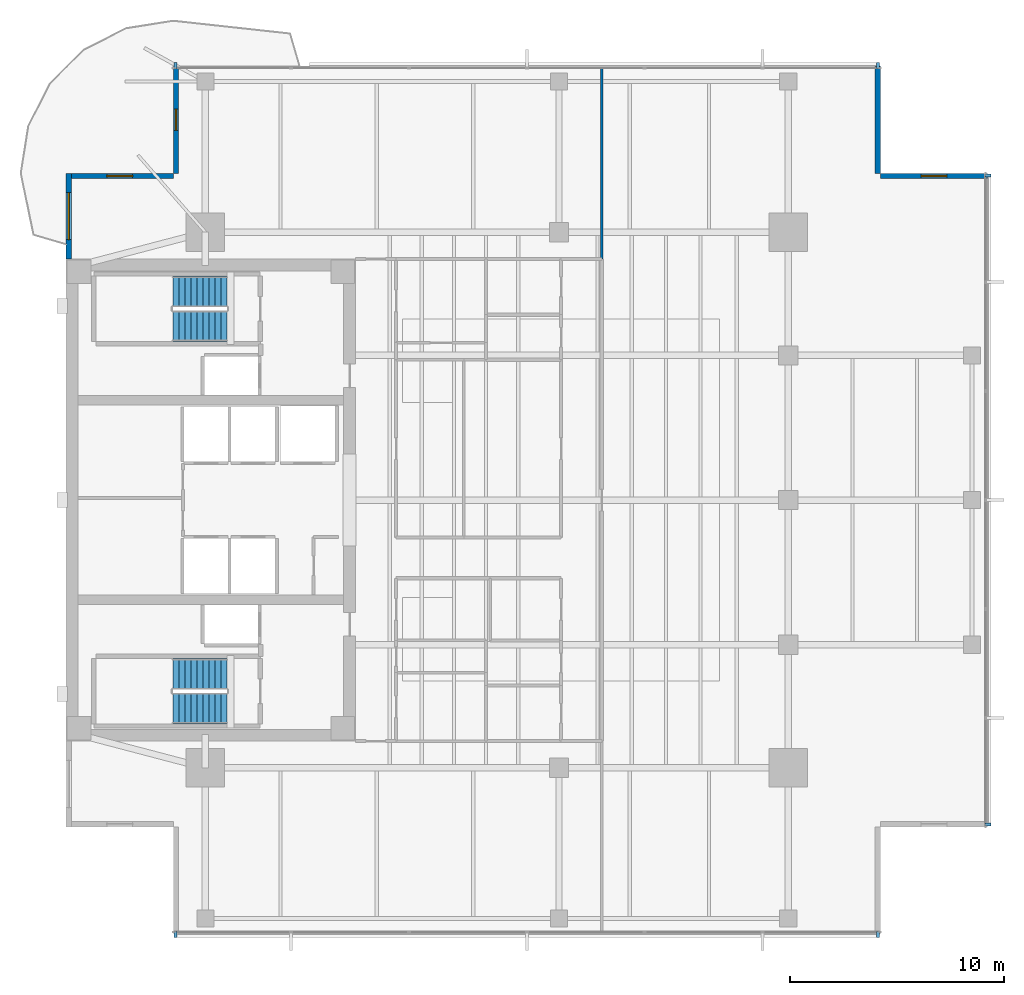
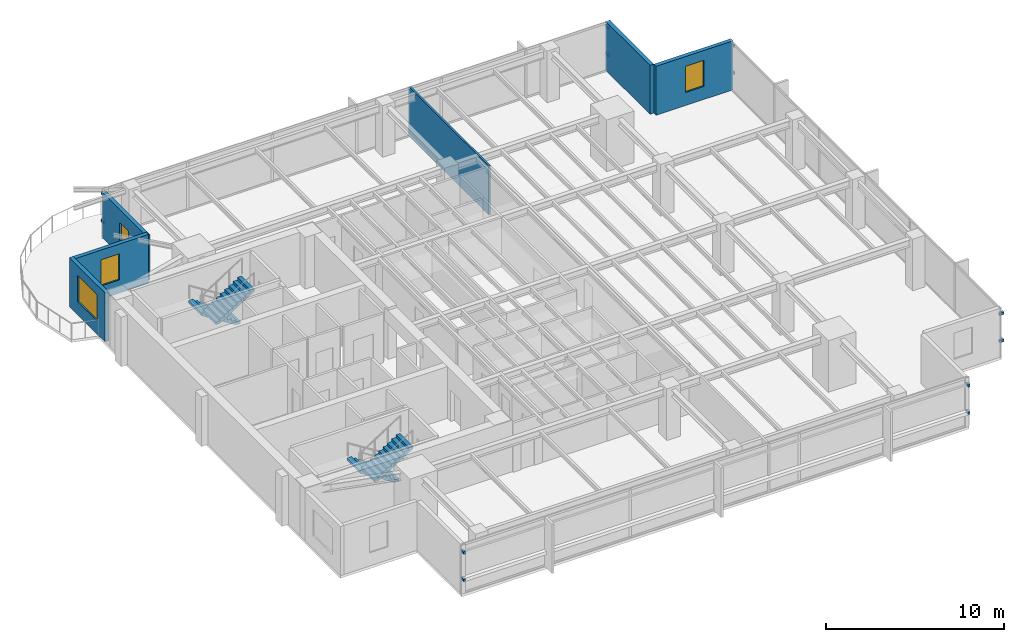
# One storey, part 10 of 14: 12 discrete accessories, 6 walls, 4 stair flights, 3 windows, 1 door, 4 openings, 2 elements without a shape of their own.
"""IFC4 building model written with IfcOpenShell, lengths in metres."""

from ifc_helpers import new_model, si_unit, direction, frame, frame_2d, origin, origin_2d, place, context, subcontext, project, spatial, polyline, rectangle, outline, extrude, material, layer, layer_set, type_object, element, fill, aggregate, save


model = new_model("IFC4")

# Units and contexts
model_context = context("Model", 3, precision=1e-05, world=origin(), true_north=direction((0.0, 1.0)))
body_context = subcontext(model_context, "Body", "Model", "MODEL_VIEW")
ifc_project = project(units=[si_unit("LENGTHUNIT", "METRE"), si_unit("AREAUNIT", "SQUARE_METRE"), si_unit("VOLUMEUNIT", "CUBIC_METRE"), si_unit("PLANEANGLEUNIT", "RADIAN"), si_unit("MASSUNIT", "GRAM", prefix="KILO")], contexts=[model_context])

# Site, building, storey
site_placement = place(None, origin())
site = spatial("IfcSite", under=ifc_project, at=site_placement, CompositionType="ELEMENT")
building_placement = place(site_placement, origin())
building = spatial("IfcBuilding", under=site, at=building_placement, Name="Kinhvarn Gate Tower", CompositionType="ELEMENT")
storey_placement = place(building_placement, frame((0.0, 0.0, 191.60009765625)))
storey = spatial("IfcBuildingStorey", under=building, at=storey_placement, Name="L50", CompositionType="ELEMENT", Elevation=191.60009765625)

# Wall, opening, window
ifc_material_1 = material(Name="Fired architectural terracotta", Category="masonry")
ifc_layer_1 = layer(ifc_material_1, 0.25)
ifc_layer_set_1 = layer_set([ifc_layer_1], Name="Fired architectural terracotta")
wall_type_1 = type_object("IfcWallType", Name="WL-EXT-250", PredefinedType="SOLIDWALL", material=ifc_layer_set_1)
wall_1_placement = place(storey_placement, frame((4.625, 40.5, 0.0), z_axis=(0.0, 0.0, 1.0), x_axis=(0.0, -1.0, 0.0)))
wall_1 = element("IfcWall", 1, at=wall_1_placement, inside=storey, type_object=wall_type_1, Name="Exterior Solidwall Wall EW-250 (L50 West-North)", PredefinedType="SOLIDWALL", context=body_context, shape_type="SweptSolid", body=[
    extrude(rectangle(XDim=4.0, YDim=0.25, at=frame_2d((2.0, 0.0))), origin(), (0.0, 0.0, 1.0), 3.369873046875),
])
opening_1_placement = place(wall_1_placement, frame((0.89990234375, 0.0, 0.89990234375)))
opening_1 = element("IfcOpeningElement", 2, at=opening_1_placement, cuts=wall_1, Name="Opening WN-01", PredefinedType="OPENING", context=body_context, shape_type="SweptSolid", body=[
    extrude(rectangle(XDim=2.199951171875, YDim=1.800048828125, at=frame_2d((1.10009765625, 0.89990234375))), frame((0.0, 0.135009765625, 0.0), z_axis=(0.0, -1.0, 0.0), x_axis=(1.0, 0.0, 0.0)), (0.0, 0.0, 1.0), 0.27001953125),
])
ifc_material_2 = material(Name="Clear low-e double glazing", Category="glass")
window_type_1 = type_object("IfcWindowType", Name="WIN-RIB-2200", PartitioningType="SINGLE_PANEL", PredefinedType="WINDOW", material=ifc_material_2)
window_1_placement = place(opening_1_placement, origin())
window_1 = element("IfcWindow", 3, at=window_1_placement, inside=storey, type_object=window_type_1, Name="West Flank Double-Glazed Ribbon Window 2200x1800 mm (L50)", OverallHeight=1.800048828125, OverallWidth=2.199951171875, PartitioningType="SINGLE_PANEL", PredefinedType="WINDOW", context=body_context, shape_type="SweptSolid", body=[
    extrude(rectangle(XDim=2.199951171875, YDim=1.800048828125, at=frame_2d((1.10009765625, 0.89990234375))), frame((0.0, 0.030029296875, 0.0), z_axis=(0.0, -1.0, 0.0), x_axis=(1.0, 0.0, 0.0)), (0.0, 0.0, 1.0), 0.06005859375),
])
fill(opening_1, window_1)

wall_2_placement = place(storey_placement, frame((47.5, 40.375, 0.0), z_axis=(0.0, 0.0, 1.0), x_axis=(-1.0, 0.0, 0.0)))
wall_2 = element("IfcWall", 4, at=wall_2_placement, inside=storey, type_object=wall_type_1, Name="Exterior Solidwall Wall EW-250 (L50 NE-Notch-1)", PredefinedType="SOLIDWALL", context=body_context, shape_type="SweptSolid", body=[
    extrude(rectangle(XDim=5.0, YDim=0.25, at=frame_2d((2.5, 0.0))), origin(), (0.0, 0.0, 1.0), 3.369873046875),
])
opening_2_placement = place(wall_2_placement, frame((1.89990234375, 0.0, 0.89990234375)))
opening_2 = element("IfcOpeningElement", 5, at=opening_2_placement, cuts=wall_2, Name="Opening WN-02", PredefinedType="OPENING", context=body_context, shape_type="SweptSolid", body=[
    extrude(rectangle(XDim=1.199951171875, YDim=1.800048828125, at=frame_2d((0.60009765625, 0.89990234375))), frame((0.0, 0.135009765625, 0.0), z_axis=(0.0, -1.0, 0.0), x_axis=(1.0, 0.0, 0.0)), (0.0, 0.0, 1.0), 0.27001953125),
])
window_type_2 = type_object("IfcWindowType", Name="WIN-NTC-1200", PartitioningType="SINGLE_PANEL", PredefinedType="WINDOW", material=ifc_material_2)
window_2_placement = place(opening_2_placement, origin())
window_2 = element("IfcWindow", 6, at=window_2_placement, inside=storey, type_object=window_type_2, Name="Recessed Corner Notch Punched Window 1200x1800 mm (L50)", OverallHeight=1.800048828125, OverallWidth=1.199951171875, PartitioningType="SINGLE_PANEL", PredefinedType="WINDOW", context=body_context, shape_type="SweptSolid", body=[
    extrude(rectangle(XDim=1.199951171875, YDim=1.800048828125, at=frame_2d((0.60009765625, 0.89990234375))), frame((0.0, 0.030029296875, 0.0), z_axis=(0.0, -1.0, 0.0), x_axis=(1.0, 0.0, 0.0)), (0.0, 0.0, 1.0), 0.06005859375),
])
fill(opening_2, window_2)

# Wall
wall_3_placement = place(storey_placement, frame((42.375, 40.5, 0.0), z_axis=(0.0, 0.0, 1.0), x_axis=(0.0, 1.0, 0.0)))
element("IfcWall", 7, at=wall_3_placement, inside=storey, type_object=wall_type_1, Name="Exterior Solidwall Wall EW-250 (L50 NE-Notch-2)", PredefinedType="SOLIDWALL", context=body_context, shape_type="SweptSolid", body=[
    extrude(rectangle(XDim=5.0, YDim=0.25, at=frame_2d((2.5, 0.0))), origin(), (0.0, 0.0, 1.0), 3.369873046875),
])

# Wall, opening, door
wall_4_placement = place(storey_placement, frame((9.625, 45.5, 0.0), z_axis=(0.0, 0.0, 1.0), x_axis=(0.0, -1.0, 0.0)))
wall_4 = element("IfcWall", 8, at=wall_4_placement, inside=storey, type_object=wall_type_1, Name="Exterior Solidwall Wall EW-250 (L50 NW-Notch-Door)", PredefinedType="SOLIDWALL", context=body_context, shape_type="SweptSolid", body=[
    extrude(rectangle(XDim=5.0, YDim=0.25, at=frame_2d((2.5, 0.0))), origin(), (0.0, 0.0, 1.0), 3.099853515625),
])
opening_3_placement = place(wall_4_placement, frame((2.0, 0.0, 0.0)))
opening_3 = element("IfcOpeningElement", 9, at=opening_3_placement, cuts=wall_4, Name="Opening BD-01", PredefinedType="OPENING", context=body_context, shape_type="SweptSolid", body=[
    extrude(rectangle(XDim=1.0, YDim=2.199951171875, at=frame_2d((0.5, 1.10009765625))), frame((0.0, 0.135009765625, 0.0), z_axis=(0.0, -1.0, 0.0), x_axis=(1.0, 0.0, 0.0)), (0.0, 0.0, 1.0), 0.27001953125),
])
door_type = type_object("IfcDoorType", Name="DR-BAL-1000", OperationType="NOTDEFINED", PredefinedType="DOOR", material=ifc_material_2)
door_placement = place(opening_3_placement, frame((1.0, 0.0, 0.0), z_axis=(0.0, 0.0, 1.0), x_axis=(-1.0, 0.0, 0.0)))
door = element("IfcDoor", 10, at=door_placement, inside=storey, type_object=door_type, Name="S-Carve Balcony Door BD-01 (L50)", OperationType="SINGLE_SWING_RIGHT", OverallHeight=2.199951171875, OverallWidth=1.0, PredefinedType="DOOR", context=body_context, shape_type="SweptSolid", body=[
    extrude(rectangle(XDim=1.0, YDim=2.199951171875, at=frame_2d((0.5, 1.10009765625))), frame((0.0, 0.02490234375, 0.0), z_axis=(0.0, -1.0, 0.0), x_axis=(1.0, 0.0, 0.0)), (0.0, 0.0, 1.0), 0.050048828125),
])
fill(opening_3, door)

# Wall, opening, window
wall_5_placement = place(storey_placement, frame((9.5, 40.375, 0.0), z_axis=(0.0, 0.0, 1.0), x_axis=(-1.0, 0.0, 0.0)))
wall_5 = element("IfcWall", 11, at=wall_5_placement, inside=storey, type_object=wall_type_1, Name="Exterior Solidwall Wall EW-250 (L50 NW-Notch-Win)", PredefinedType="SOLIDWALL", context=body_context, shape_type="SweptSolid", body=[
    extrude(rectangle(XDim=5.0, YDim=0.25, at=frame_2d((2.5, 0.0))), origin(), (0.0, 0.0, 1.0), 3.369873046875),
])
opening_4_placement = place(wall_5_placement, frame((1.89990234375, 0.0, 0.89990234375)))
opening_4 = element("IfcOpeningElement", 12, at=opening_4_placement, cuts=wall_5, Name="Opening WN-02", PredefinedType="OPENING", context=body_context, shape_type="SweptSolid", body=[
    extrude(rectangle(XDim=1.199951171875, YDim=1.800048828125, at=frame_2d((0.60009765625, 0.89990234375))), frame((0.0, 0.135009765625, 0.0), z_axis=(0.0, -1.0, 0.0), x_axis=(1.0, 0.0, 0.0)), (0.0, 0.0, 1.0), 0.27001953125),
])
window_3_placement = place(opening_4_placement, origin())
window_3 = element("IfcWindow", 13, at=window_3_placement, inside=storey, type_object=window_type_2, Name="Recessed Corner Notch Punched Window 1200x1800 mm (L50)", OverallHeight=1.800048828125, OverallWidth=1.199951171875, PartitioningType="SINGLE_PANEL", PredefinedType="WINDOW", context=body_context, shape_type="SweptSolid", body=[
    extrude(rectangle(XDim=1.199951171875, YDim=1.800048828125, at=frame_2d((0.60009765625, 0.89990234375))), frame((0.0, 0.030029296875, 0.0), z_axis=(0.0, -1.0, 0.0), x_axis=(1.0, 0.0, 0.0)), (0.0, 0.0, 1.0), 0.06005859375),
])
fill(opening_4, window_3)

# Wall
ifc_material_3 = material(Name="Gypsum acoustic partition board")
ifc_layer_2 = layer(ifc_material_3, 0.1201171875)
ifc_layer_set_2 = layer_set([ifc_layer_2], Name="Gypsum acoustic partition board")
wall_type_2 = type_object("IfcWallType", Name="WL-PRT-120", PredefinedType="PARTITIONING", material=ifc_layer_set_2)
wall_6_placement = place(storey_placement, frame((29.5, 36.5, 0.0), z_axis=(0.0, 0.0, 1.0), x_axis=(0.0, 1.0, 0.0)))
element("IfcWall", 14, at=wall_6_placement, inside=storey, type_object=wall_type_2, Name="Interior Partition PW-120 (L50)", PredefinedType="PARTITIONING", context=body_context, shape_type="SweptSolid", body=[
    extrude(rectangle(XDim=8.989990234375, YDim=0.1201171875, at=frame_2d((4.4951171875, 0.0))), origin(), (0.0, 0.0, 1.0), 3.369873046875),
])

# Stair, stair flights
ifc_material_4 = material(Name="Concrete C40/50", Category="concrete")
stair_type = type_object("IfcStairType", Name="STR-DLG-178", PredefinedType="HALF_TURN_STAIR", material=ifc_material_4)
stair_1_placement = place(storey_placement, origin())
stair_1 = element("IfcStair", 15, at=stair_1_placement, inside=storey, type_object=stair_type, Name="L50 Core Smokeproof Exit Stair ST1", PredefinedType="HALF_TURN_STAIR")
stair_flight_type = type_object("IfcStairFlightType", Name="STF-DLG-178", PredefinedType="STRAIGHT", material=ifc_material_4)
stair_flight_1_placement = place(storey_placement, frame((12.0, 17.125, 0.0), z_axis=(0.0, 0.0, 1.0), x_axis=(-1.0, 0.0, 0.0)))
stair_flight_1 = element("IfcStairFlight", 16, at=stair_flight_1_placement, type_object=stair_flight_type, Name="ST1 flight 1", NumberOfRisers=10, NumberOfTreads=9, PredefinedType="STRAIGHT", RiserHeight=0.1775, TreadLength=0.28, context=body_context, shape_type="SweptSolid", body=[
    extrude(outline(polyline([(0.0, 0.0), (0.0, 0.177490234375), (0.280029296875, 0.177490234375), (0.280029296875, 0.35498046875), (0.56005859375, 0.35498046875), (0.56005859375, 0.532470703125), (0.840087890625, 0.532470703125), (0.840087890625, 0.7099609375), (1.1201171875, 0.7099609375), (1.1201171875, 0.887451171875), (1.39990234375, 0.887451171875), (1.39990234375, 1.06494140625), (1.679931640625, 1.06494140625), (1.679931640625, 1.242431640625), (1.9599609375, 1.242431640625), (1.9599609375, 1.419921875), (2.239990234375, 1.419921875), (2.239990234375, 1.597412109375), (2.52001953125, 1.597412109375), (2.52001953125, 1.77490234375), (2.52001953125, 1.419921875), (0.280029296875, 0.0), (0.0, 0.0)])), frame((0.0, 0.72509765625, 0.0), z_axis=(0.0, -1.0, 0.0), x_axis=(1.0, 0.0, 0.0)), (0.0, 0.0, 1.0), 1.449951171875),
])
stair_flight_2_placement = place(storey_placement, frame((9.47998046875, 15.52490234375, 1.77490234375), z_axis=(0.0, 0.0, 1.0), x_axis=(1.0, 0.0, 0.0)))
stair_flight_2 = element("IfcStairFlight", 17, at=stair_flight_2_placement, type_object=stair_flight_type, Name="ST1 flight 2", NumberOfRisers=10, NumberOfTreads=9, PredefinedType="STRAIGHT", RiserHeight=0.1775, TreadLength=0.28, context=body_context, shape_type="SweptSolid", body=[
    extrude(outline(polyline([(0.0, 0.0), (0.0, 0.177490234375), (0.280029296875, 0.177490234375), (0.280029296875, 0.35498046875), (0.56005859375, 0.35498046875), (0.56005859375, 0.532470703125), (0.840087890625, 0.532470703125), (0.840087890625, 0.7099609375), (1.1201171875, 0.7099609375), (1.1201171875, 0.887451171875), (1.39990234375, 0.887451171875), (1.39990234375, 1.06494140625), (1.679931640625, 1.06494140625), (1.679931640625, 1.242431640625), (1.9599609375, 1.242431640625), (1.9599609375, 1.419921875), (2.239990234375, 1.419921875), (2.239990234375, 1.597412109375), (2.52001953125, 1.597412109375), (2.52001953125, 1.77490234375), (2.52001953125, 1.419921875), (0.280029296875, 0.0), (0.0, 0.0)])), frame((0.0, 0.72509765625, 0.0), z_axis=(0.0, -1.0, 0.0), x_axis=(1.0, 0.0, 0.0)), (0.0, 0.0, 1.0), 1.449951171875),
])
aggregate(stair_1, [stair_flight_1, stair_flight_2])

stair_2_placement = place(storey_placement, origin())
stair_2 = element("IfcStair", 18, at=stair_2_placement, inside=storey, type_object=stair_type, Name="L50 Core Smokeproof Exit Stair ST2", PredefinedType="HALF_TURN_STAIR")
stair_flight_3_placement = place(storey_placement, frame((12.0, 34.97509765625, 0.0), z_axis=(0.0, 0.0, 1.0), x_axis=(-1.0, 0.0, 0.0)))
stair_flight_3 = element("IfcStairFlight", 19, at=stair_flight_3_placement, type_object=stair_flight_type, Name="ST2 flight 1", NumberOfRisers=10, NumberOfTreads=9, PredefinedType="STRAIGHT", RiserHeight=0.1775, TreadLength=0.28, context=body_context, shape_type="SweptSolid", body=[
    extrude(outline(polyline([(0.0, 0.0), (0.0, 0.177490234375), (0.280029296875, 0.177490234375), (0.280029296875, 0.35498046875), (0.56005859375, 0.35498046875), (0.56005859375, 0.532470703125), (0.840087890625, 0.532470703125), (0.840087890625, 0.7099609375), (1.1201171875, 0.7099609375), (1.1201171875, 0.887451171875), (1.39990234375, 0.887451171875), (1.39990234375, 1.06494140625), (1.679931640625, 1.06494140625), (1.679931640625, 1.242431640625), (1.9599609375, 1.242431640625), (1.9599609375, 1.419921875), (2.239990234375, 1.419921875), (2.239990234375, 1.597412109375), (2.52001953125, 1.597412109375), (2.52001953125, 1.77490234375), (2.52001953125, 1.419921875), (0.280029296875, 0.0), (0.0, 0.0)])), frame((0.0, 0.72509765625, 0.0), z_axis=(0.0, -1.0, 0.0), x_axis=(1.0, 0.0, 0.0)), (0.0, 0.0, 1.0), 1.449951171875),
])
stair_flight_4_placement = place(storey_placement, frame((9.47998046875, 33.375, 1.77490234375), z_axis=(0.0, 0.0, 1.0), x_axis=(1.0, 0.0, 0.0)))
stair_flight_4 = element("IfcStairFlight", 20, at=stair_flight_4_placement, type_object=stair_flight_type, Name="ST2 flight 2", NumberOfRisers=10, NumberOfTreads=9, PredefinedType="STRAIGHT", RiserHeight=0.1775, TreadLength=0.28, context=body_context, shape_type="SweptSolid", body=[
    extrude(outline(polyline([(0.0, 0.0), (0.0, 0.177490234375), (0.280029296875, 0.177490234375), (0.280029296875, 0.35498046875), (0.56005859375, 0.35498046875), (0.56005859375, 0.532470703125), (0.840087890625, 0.532470703125), (0.840087890625, 0.7099609375), (1.1201171875, 0.7099609375), (1.1201171875, 0.887451171875), (1.39990234375, 0.887451171875), (1.39990234375, 1.06494140625), (1.679931640625, 1.06494140625), (1.679931640625, 1.242431640625), (1.9599609375, 1.242431640625), (1.9599609375, 1.419921875), (2.239990234375, 1.419921875), (2.239990234375, 1.597412109375), (2.52001953125, 1.597412109375), (2.52001953125, 1.77490234375), (2.52001953125, 1.419921875), (0.280029296875, 0.0), (0.0, 0.0)])), frame((0.0, 0.72509765625, 0.0), z_axis=(0.0, -1.0, 0.0), x_axis=(1.0, 0.0, 0.0)), (0.0, 0.0, 1.0), 1.449951171875),
])
aggregate(stair_2, [stair_flight_3, stair_flight_4])

# Discrete accessories
ifc_material_5 = material(Name="Anodised aluminium AW-6063", Category="aluminium")
discrete_accessory_type = type_object("IfcDiscreteAccessoryType", Name="ACC-BRK-01", PredefinedType="BRACKET", material=ifc_material_5)
for number, where, z_axis, x_axis, name in (
    (21, (9.60009765625, 4.969970703125, 0.9599609375), (0.0, 0.0, 1.0), (1.0, 0.0, 0.0), "Baguette Support Bracket BK-01 (L50)"),
    (22, (9.60009765625, 4.969970703125, 2.830078125), (0.0, 0.0, 1.0), (1.0, 0.0, 0.0), "Baguette Support Bracket BK-01 (L50)"),
    (23, (42.39990234375, 4.969970703125, 0.9599609375), (0.0, 0.0, 1.0), (1.0, 0.0, 0.0), "Baguette Support Bracket BK-01 (L50)"),
    (24, (42.39990234375, 4.969970703125, 2.830078125), (0.0, 0.0, 1.0), (1.0, 0.0, 0.0), "Baguette Support Bracket BK-01 (L50)"),
    (25, (42.39990234375, 45.530029296875, 0.9599609375), (0.0, 0.0, 1.0), (-1.0, 0.0, 0.0), "Baguette Support Bracket BK-01 (L50)"),
    (26, (42.39990234375, 45.530029296875, 2.830078125), (0.0, 0.0, 1.0), (-1.0, 0.0, 0.0), "Baguette Support Bracket BK-01 (L50)"),
    (27, (9.60009765625, 45.530029296875, 0.9599609375), (0.0, 0.0, 1.0), (-1.0, 0.0, 0.0), "Baguette Support Bracket BK-01 (L50)"),
    (28, (9.60009765625, 45.530029296875, 2.830078125), (0.0, 0.0, 1.0), (-1.0, 0.0, 0.0), "Baguette Support Bracket BK-01 (L50)"),
    (29, (47.530029296875, 10.10009765625, 0.9599609375), (0.0, 0.0, 1.0), (0.0, 1.0, 0.0), "Baguette Support Bracket BK-01 (L50)"),
    (30, (47.530029296875, 10.10009765625, 2.830078125), (0.0, 0.0, 1.0), (0.0, 1.0, 0.0), "Baguette Support Bracket BK-01 (L50)"),
    (31, (47.530029296875, 40.39990234375, 0.9599609375), (0.0, 0.0, 1.0), (0.0, 1.0, 0.0), "Baguette Support Bracket BK-01 (L50)"),
    (32, (47.530029296875, 40.39990234375, 2.830078125), (0.0, 0.0, 1.0), (0.0, 1.0, 0.0), "Baguette Support Bracket BK-01 (L50)"),
):
    element("IfcDiscreteAccessory", number, at=place(storey_placement, frame(where, z_axis=z_axis, x_axis=x_axis)), inside=storey, type_object=discrete_accessory_type, Name=name, PredefinedType="BRACKET", context=body_context, shape_type="SweptSolid", body=[
        extrude(rectangle(XDim=0.139892578125, YDim=0.280029296875, at=origin_2d()), origin(), (0.0, 0.0, 1.0), 0.179931640625),
    ])

save(model, "model.ifc")
